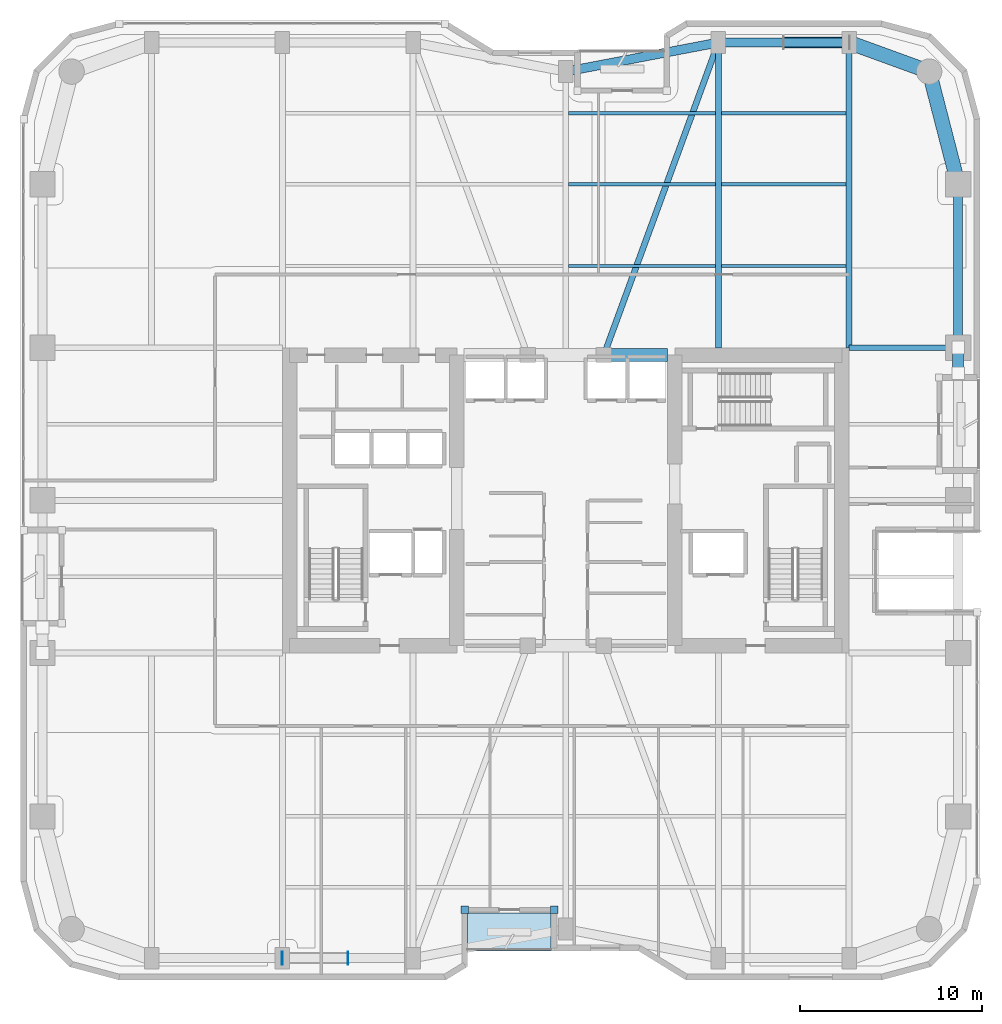
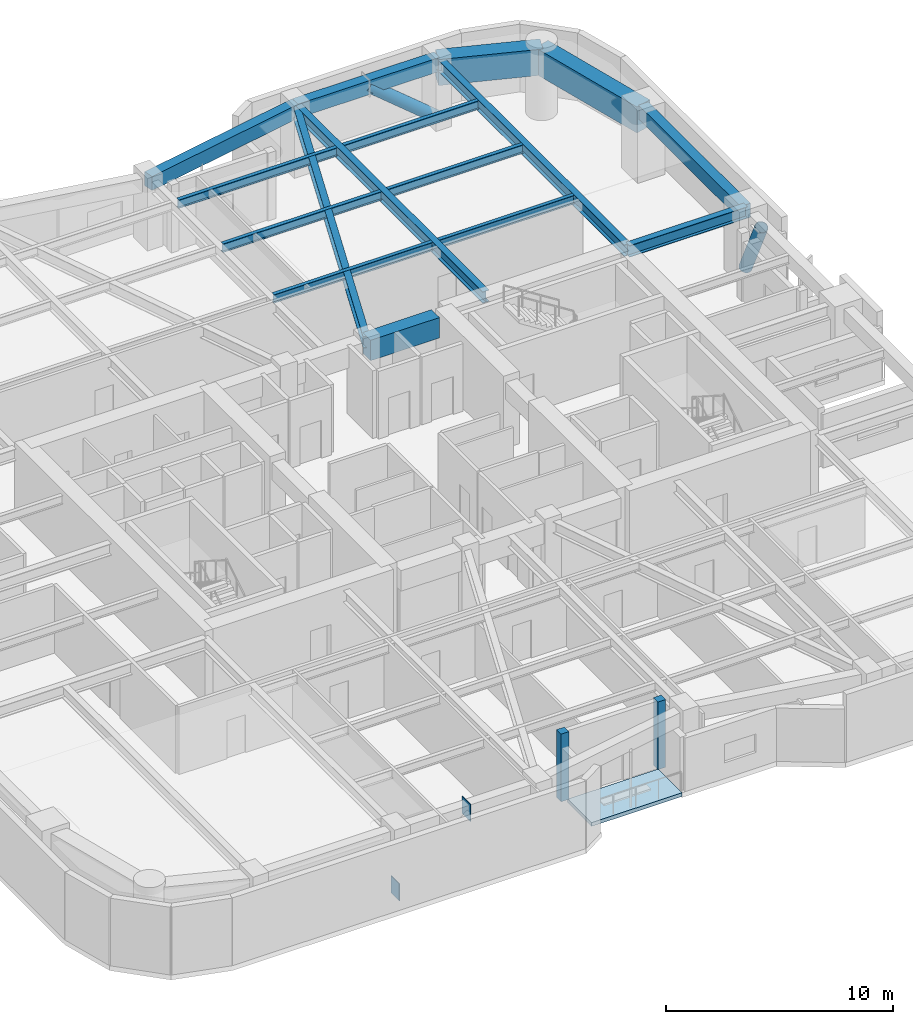
# One storey, part 15 of 24: 16 beams, 4 plates, 2 members, 1 slab.
"""IFC4 building model written with IfcOpenShell, lengths in metres."""

from ifc_helpers import new_model, si_unit, direction, frame, origin, origin_2d, place, context, subcontext, project, spatial, polyline, rectangle, hollow_circle, i_section, outline, extrude, material, layer, layer_set, material_profile, profile_set, type_object, element, save


model = new_model("IFC4")

# Units and contexts
model_context = context("Model", 3, precision=1e-05, world=origin(), true_north=direction((0.0, 1.0)))
body_context = subcontext(model_context, "Body", "Model", "MODEL_VIEW")
ifc_project = project(units=[si_unit("LENGTHUNIT", "METRE"), si_unit("AREAUNIT", "SQUARE_METRE"), si_unit("VOLUMEUNIT", "CUBIC_METRE"), si_unit("PLANEANGLEUNIT", "RADIAN"), si_unit("MASSUNIT", "GRAM", prefix="KILO")], contexts=[model_context])

# Site, building, storey
site_placement = place(None, origin())
site = spatial("IfcSite", under=ifc_project, at=site_placement, CompositionType="ELEMENT")
building_placement = place(site_placement, origin())
building = spatial("IfcBuilding", under=site, at=building_placement, Name="Kiyonajd Concourse Tower", CompositionType="ELEMENT")
storey_placement = place(building_placement, frame((0.0, 0.0, 129.89990234375)))
storey = spatial("IfcBuildingStorey", under=building, at=storey_placement, Name="L33", CompositionType="ELEMENT", Elevation=129.89990234375)

# Beams
ifc_material_1 = material(Name="Concrete C70/85", Category="concrete")
ifc_material_profile_1 = material_profile(ifc_material_1, rectangle(XDim=0.699951171875, YDim=1.10009765625, at=origin_2d()), Name="RCBM-700x1100")
ifc_profile_set_1 = profile_set([ifc_material_profile_1], Name="Concrete C70/85")
beam_type_1 = type_object("IfcBeamType", Name="BM-COUP-1100", PredefinedType="LINTEL", material=ifc_profile_set_1)
beam_1_placement = place(storey_placement, frame((50.10009765625, 44.0, 3.090087890625), z_axis=(1.0, 0.0, 0.0), x_axis=(0.0, 1.0, 0.0)))
element("IfcBeam", 1, at=beam_1_placement, inside=storey, type_object=beam_type_1, Name="L33 Core Coupling Beam N3", PredefinedType="LINTEL", context=body_context, shape_type="SweptSolid", body=[
    extrude(rectangle(XDim=0.699951171875, YDim=1.10009765625, at=origin_2d()), origin(), (0.0, 0.0, 1.0), 3.5),
])
ifc_material_2 = material(Name="Steel ASTM A992 Grade 50", Category="steel")
ifc_material_profile_2 = material_profile(ifc_material_2, i_section(OverallWidth=0.19189453125, OverallDepth=0.462890625, WebThickness=0.010498046875, FlangeThickness=0.017578125, at=origin_2d()), Name="W460X89")
ifc_profile_set_2 = profile_set([ifc_material_profile_2], Name="Steel ASTM A992 Grade 50")
beam_type_2 = type_object("IfcBeamType", Name="BM-JST-460B", PredefinedType="JOIST", material=ifc_profile_set_2)
beam_2_placement = place(storey_placement, frame((48.16357421875, 48.89990234375, 3.40869140625), z_axis=(1.0, 0.0, 0.0), x_axis=(0.0, 1.0, 0.0)))
element("IfcBeam", 2, at=beam_2_placement, inside=storey, type_object=beam_type_2, Name="L33 Secondary Floor Joist", PredefinedType="JOIST", context=body_context, shape_type="SweptSolid", body=[
    extrude(i_section(OverallWidth=0.19189453125, OverallDepth=0.462890625, WebThickness=0.010498046875, FlangeThickness=0.017578125, at=origin_2d()), origin(), (0.0, 0.0, 1.0), 8.072998046875),
])
beam_3_placement = place(storey_placement, frame((56.5634765625, 48.89990234375, 3.40869140625), z_axis=(1.0, 0.0, 0.0), x_axis=(0.0, 1.0, 0.0)))
element("IfcBeam", 3, at=beam_3_placement, inside=storey, type_object=beam_type_2, Name="L33 Secondary Floor Joist", PredefinedType="JOIST", context=body_context, shape_type="SweptSolid", body=[
    extrude(i_section(OverallWidth=0.19189453125, OverallDepth=0.462890625, WebThickness=0.010498046875, FlangeThickness=0.017578125, at=origin_2d()), origin(), (0.0, 0.0, 1.0), 6.873046875),
])
beam_4_placement = place(storey_placement, frame((48.16357421875, 53.39990234375, 3.40869140625), z_axis=(1.0, 0.0, 0.0), x_axis=(0.0, 1.0, 0.0)))
element("IfcBeam", 4, at=beam_4_placement, inside=storey, type_object=beam_type_2, Name="L33 Secondary Floor Joist", PredefinedType="JOIST", context=body_context, shape_type="SweptSolid", body=[
    extrude(i_section(OverallWidth=0.19189453125, OverallDepth=0.462890625, WebThickness=0.010498046875, FlangeThickness=0.017578125, at=origin_2d()), origin(), (0.0, 0.0, 1.0), 8.072998046875),
])
beam_5_placement = place(storey_placement, frame((56.5634765625, 53.39990234375, 3.40869140625), z_axis=(1.0, 0.0, 0.0), x_axis=(0.0, 1.0, 0.0)))
element("IfcBeam", 5, at=beam_5_placement, inside=storey, type_object=beam_type_2, Name="L33 Secondary Floor Joist", PredefinedType="JOIST", context=body_context, shape_type="SweptSolid", body=[
    extrude(i_section(OverallWidth=0.19189453125, OverallDepth=0.462890625, WebThickness=0.010498046875, FlangeThickness=0.017578125, at=origin_2d()), origin(), (0.0, 0.0, 1.0), 6.873046875),
])
beam_6_placement = place(storey_placement, frame((48.16357421875, 57.300048828125, 3.40869140625), z_axis=(1.0, 0.0, 0.0), x_axis=(0.0, 1.0, 0.0)))
element("IfcBeam", 6, at=beam_6_placement, inside=storey, type_object=beam_type_2, Name="L33 Secondary Floor Joist", PredefinedType="JOIST", context=body_context, shape_type="SweptSolid", body=[
    extrude(i_section(OverallWidth=0.19189453125, OverallDepth=0.462890625, WebThickness=0.010498046875, FlangeThickness=0.017578125, at=origin_2d()), origin(), (0.0, 0.0, 1.0), 8.072998046875),
])
beam_7_placement = place(storey_placement, frame((56.5634765625, 57.300048828125, 3.40869140625), z_axis=(1.0, 0.0, 0.0), x_axis=(0.0, 1.0, 0.0)))
element("IfcBeam", 7, at=beam_7_placement, inside=storey, type_object=beam_type_2, Name="L33 Secondary Floor Joist", PredefinedType="JOIST", context=body_context, shape_type="SweptSolid", body=[
    extrude(i_section(OverallWidth=0.19189453125, OverallDepth=0.462890625, WebThickness=0.010498046875, FlangeThickness=0.017578125, at=origin_2d()), origin(), (0.0, 0.0, 1.0), 6.873046875),
])
ifc_material_3 = material(Name="Precast concrete C50/60", Category="concrete")
ifc_material_profile_3 = material_profile(ifc_material_3, rectangle(XDim=0.5, YDim=0.75, at=origin_2d()), Name="RCBM-500x750")
ifc_profile_set_3 = profile_set([ifc_material_profile_3], Name="Precast concrete C50/60")
beam_type_3 = type_object("IfcBeamType", Name="BM-SPAN-RC", PredefinedType="SPANDREL", material=ifc_profile_set_3)
beam_8_placement = place(storey_placement, frame((69.60009765625, 44.39990234375, 3.26513671875), z_axis=(0.0, 1.0, 0.0), x_axis=(-1.0, 0.0, 0.0)))
element("IfcBeam", 8, at=beam_8_placement, inside=storey, type_object=beam_type_3, Name="L33 Perimeter Bundled Tube Spandrel", PredefinedType="SPANDREL", context=body_context, shape_type="SweptSolid", body=[
    extrude(rectangle(XDim=0.5, YDim=0.75, at=origin_2d()), origin(), (0.0, 0.0, 1.0), 9.0),
])
beam_9_placement = place(storey_placement, frame((63.60009765625, 61.199951171875, 3.26513671875), z_axis=(-1.0, 0.0, 0.0), x_axis=(0.0, -1.0, 0.0)))
element("IfcBeam", 9, at=beam_9_placement, inside=storey, type_object=beam_type_3, Name="L33 Perimeter Bundled Tube Spandrel", PredefinedType="SPANDREL", context=body_context, shape_type="SweptSolid", body=[
    extrude(rectangle(XDim=0.5, YDim=0.75, at=origin_2d()), origin(), (0.0, 0.0, 1.0), 7.2001953125),
])
beam_10_placement = place(storey_placement, frame((56.39990234375, 61.199951171875, 3.26513671875), z_axis=(-0.982341315253, -0.187097675953, 0.0), x_axis=(0.187097675953, -0.982341315253, 0.0)))
element("IfcBeam", 10, at=beam_10_placement, inside=storey, type_object=beam_type_3, Name="L33 Perimeter Bundled Tube Spandrel", PredefinedType="SPANDREL", context=body_context, shape_type="SweptSolid", body=[
    extrude(rectangle(XDim=0.5, YDim=0.75, at=origin_2d()), origin(), (0.0, 0.0, 1.0), 8.55078125),
])
ifc_material_profile_4 = material_profile(ifc_material_2, i_section(OverallWidth=0.326904296875, OverallDepth=0.6220703125, WebThickness=0.015380859375, FlangeThickness=0.0244140625, at=origin_2d()), Name="W610X195")
ifc_profile_set_4 = profile_set([ifc_material_profile_4], Name="Steel ASTM A992 Grade 50")
beam_type_4 = type_object("IfcBeamType", Name="BM-TWR-610A", PredefinedType="BEAM", material=ifc_profile_set_4)
beam_11_placement = place(storey_placement, frame((50.10009765625, 44.0, 3.3291015625), z_axis=(0.343925269715, 0.938997022813, 0.0), x_axis=(-0.938997022813, 0.343925269715, 0.0)))
element("IfcBeam", 11, at=beam_11_placement, inside=storey, type_object=beam_type_4, Name="L33 Core Tie Girder", PredefinedType="BEAM", context=body_context, shape_type="SweptSolid", body=[
    extrude(i_section(OverallWidth=0.326904296875, OverallDepth=0.6220703125, WebThickness=0.015380859375, FlangeThickness=0.0244140625, at=origin_2d()), origin(), (0.0, 0.0, 1.0), 18.3173828125),
])
for number, where, z_axis, x_axis, name in (
    (12, (56.39990234375, 44.39990234375, 3.3291015625), (0.0, 1.0, 0.0), (-1.0, 0.0, 0.0), "L33 North Lease Girder"),
    (13, (63.60009765625, 44.39990234375, 3.3291015625), (0.0, 1.0, 0.0), (-1.0, 0.0, 0.0), "L33 North Lease Girder"),
):
    element("IfcBeam", number, at=place(storey_placement, frame(where, z_axis=z_axis, x_axis=x_axis)), inside=storey, type_object=beam_type_4, Name=name, PredefinedType="BEAM", context=body_context, shape_type="SweptSolid", body=[
        extrude(i_section(OverallWidth=0.326904296875, OverallDepth=0.6220703125, WebThickness=0.015380859375, FlangeThickness=0.0244140625, at=origin_2d()), origin(), (0.0, 0.0, 1.0), 16.800048828125),
    ])
beam_12_placement = place(storey_placement, frame((63.60009765625, 44.39990234375, 3.3291015625), z_axis=(1.0, 0.0, 0.0), x_axis=(0.0, 1.0, 0.0)))
element("IfcBeam", 14, at=beam_12_placement, inside=storey, type_object=beam_type_4, Name="L33 East Lease Girder", PredefinedType="BEAM", context=body_context, shape_type="SweptSolid", body=[
    extrude(i_section(OverallWidth=0.326904296875, OverallDepth=0.6220703125, WebThickness=0.015380859375, FlangeThickness=0.0244140625, at=origin_2d()), origin(), (0.0, 0.0, 1.0), 6.0),
])
ifc_material_4 = material(Name="Concrete C60/75", Category="concrete")
ifc_material_profile_5 = material_profile(ifc_material_4, rectangle(XDim=0.800048828125, YDim=1.39990234375, at=origin_2d()), Name="RCBM-800x1400")
ifc_profile_set_5 = profile_set([ifc_material_profile_5], Name="Concrete C60/75")
beam_type_5 = type_object("IfcBeamType", Name="BM-XFER-RC", PredefinedType="BEAM", material=ifc_profile_set_5)
beam_13_placement = place(storey_placement, frame((69.60009765625, 53.39990234375, 2.940185546875), z_axis=(-0.249884937687, 0.968275538221, 0.0), x_axis=(-0.968275538221, -0.249884937687, 0.0)))
element("IfcBeam", 15, at=beam_13_placement, inside=storey, type_object=beam_type_5, Name="L33 Perimeter Bundled Tube Spandrel", PredefinedType="BEAM", context=body_context, shape_type="SweptSolid", body=[
    extrude(rectangle(XDim=0.800048828125, YDim=1.39990234375, at=origin_2d()), origin(), (0.0, 0.0, 1.0), 6.4033203125),
])
beam_14_placement = place(storey_placement, frame((68.0, 59.60009765625, 2.940185546875), z_axis=(-0.939801036019, 0.341722127901, 0.0), x_axis=(-0.341722127901, -0.939801036019, 0.0)))
element("IfcBeam", 16, at=beam_14_placement, inside=storey, type_object=beam_type_5, Name="L33 Perimeter Bundled Tube Spandrel", PredefinedType="BEAM", context=body_context, shape_type="SweptSolid", body=[
    extrude(rectangle(XDim=0.800048828125, YDim=1.39990234375, at=origin_2d()), origin(), (0.0, 0.0, 1.0), 4.681640625),
])

# Members
ifc_material_5 = material(Name="Steel ASTM A572 Grade 50", Category="steel")
ifc_material_profile_6 = material_profile(ifc_material_5, hollow_circle(Radius=0.304931640625, WallThickness=0.02490234375, at=origin_2d()), Name="CHS-610x25")
ifc_profile_set_6 = profile_set([ifc_material_profile_6], Name="Steel ASTM A572 Grade 50")
member_type = type_object("IfcMemberType", Name="MB-PB-LOW", PredefinedType="BRACE", material=ifc_profile_set_6)
member_1_placement = place(storey_placement, frame((63.60009765625, 61.199951171875, 0.300048828125), z_axis=(-0.769280705518, 0.0, 0.638910945373), x_axis=(0.0, -1.0, 0.0)))
element("IfcMember", 17, at=member_1_placement, inside=storey, type_object=member_type, Name="L33 Lower Zone Welded Tube Brace PBN", PredefinedType="BRACE", context=body_context, shape_type="SweptSolid", body=[
    extrude(hollow_circle(Radius=0.304931640625, WallThickness=0.02490234375, at=origin_2d()), origin(), (0.0, 0.0, 1.0), 4.679931640625),
])
member_2_placement = place(storey_placement, frame((69.60009765625, 44.39990234375, 0.300048828125), z_axis=(0.0, -0.424022702926, 0.905651559598), x_axis=(1.0, 0.0, 0.0)))
element("IfcMember", 18, at=member_2_placement, inside=storey, type_object=member_type, Name="L33 Lower Zone Welded Tube Brace PBE", PredefinedType="BRACE", context=body_context, shape_type="SweptSolid", body=[
    extrude(hollow_circle(Radius=0.304931640625, WallThickness=0.02490234375, at=origin_2d()), origin(), (0.0, 0.0, 1.0), 3.301513671875),
])

# Plates
ifc_layer_1 = layer(ifc_material_5, 0.028076171875)
ifc_layer_set_1 = layer_set([ifc_layer_1], Name="Steel ASTM A572 Grade 50")
plate_type_1 = type_object("IfcPlateType", Name="PL-CAP-450", PredefinedType="USERDEFINED", material=ifc_layer_set_1)
for number, where, z_axis, x_axis, name in (
    (19, (32.3916015625, 10.800048828125, -0.17333984375), (0.0, 0.0, 1.0), (-1.0, 0.0, 0.0), "L33 Hollow Brace End Cap Plate PBS"),
    (20, (36.008544921875, 10.800048828125, 2.83056640625), (0.0, 0.0, 1.0), (1.0, 0.0, 0.0), "L33 Hollow Brace Top Cap Plate PBS"),
):
    element("IfcPlate", number, at=place(storey_placement, frame(where, z_axis=z_axis, x_axis=x_axis)), inside=storey, type_object=plate_type_1, Name=name, ObjectType="CAP PLATE", PredefinedType="USERDEFINED", context=body_context, shape_type="SweptSolid", body=[
        extrude(rectangle(XDim=0.035888671875, YDim=0.72998046875, at=origin_2d()), origin(), (0.0, 0.0, 1.0), 0.93310546875),
    ])
ifc_material_6 = material(Name="Thermally Broken Anodised Aluminium", Category="aluminium")
ifc_layer_2 = layer(ifc_material_6, 0.39990234375)
ifc_layer_set_2 = layer_set([ifc_layer_2], Name="Thermally Broken Anodised Aluminium")
plate_type_2 = type_object("IfcPlateType", Name="PL-JMB-400", PredefinedType="USERDEFINED", material=ifc_layer_set_2)
for number, where, z_axis, x_axis, name in (
    (21, (47.360107421875, 13.4599609375, 0.0), (0.0, 0.0, 1.0), (1.0, 0.0, 0.0), "L33 Facade Jamb Closure Plate 13"),
    (22, (42.43994140625, 13.4599609375, 0.0), (0.0, 0.0, 1.0), (1.0, 0.0, 0.0), "L33 Facade Jamb Closure Plate 14"),
):
    element("IfcPlate", number, at=place(storey_placement, frame(where, z_axis=z_axis, x_axis=x_axis)), inside=storey, type_object=plate_type_2, Name=name, ObjectType="JAMB PLATE", PredefinedType="USERDEFINED", context=body_context, shape_type="SweptSolid", body=[
        extrude(rectangle(XDim=0.39990234375, YDim=0.39990234375, at=origin_2d()), origin(), (0.0, 0.0, 1.0), 3.639892578125),
    ])

# Slab
ifc_layer_3 = layer(ifc_material_3, 0.199951171875)
ifc_layer_set_3 = layer_set([ifc_layer_3], Name="Precast concrete C50/60")
slab_type = type_object("IfcSlabType", Name="SL-LOG-200", PredefinedType="FLOOR", material=ifc_layer_set_3)
slab_placement = place(storey_placement, frame((0.0, 0.0, -0.199951171875)))
element("IfcSlab", 23, at=slab_placement, inside=storey, type_object=slab_type, Name="L33 Recessed Engawa Loggia Terrace Slab LOG-S", PredefinedType="FLOOR", context=body_context, shape_type="SweptSolid", body=[
    extrude(outline(polyline([(42.60009765625, 11.199951171875), (47.199951171875, 11.199951171875), (47.199951171875, 13.300048828125), (42.60009765625, 13.300048828125), (42.60009765625, 11.199951171875)])), origin(), (0.0, 0.0, 1.0), 0.199951171875),
])

save(model, "model.ifc")
